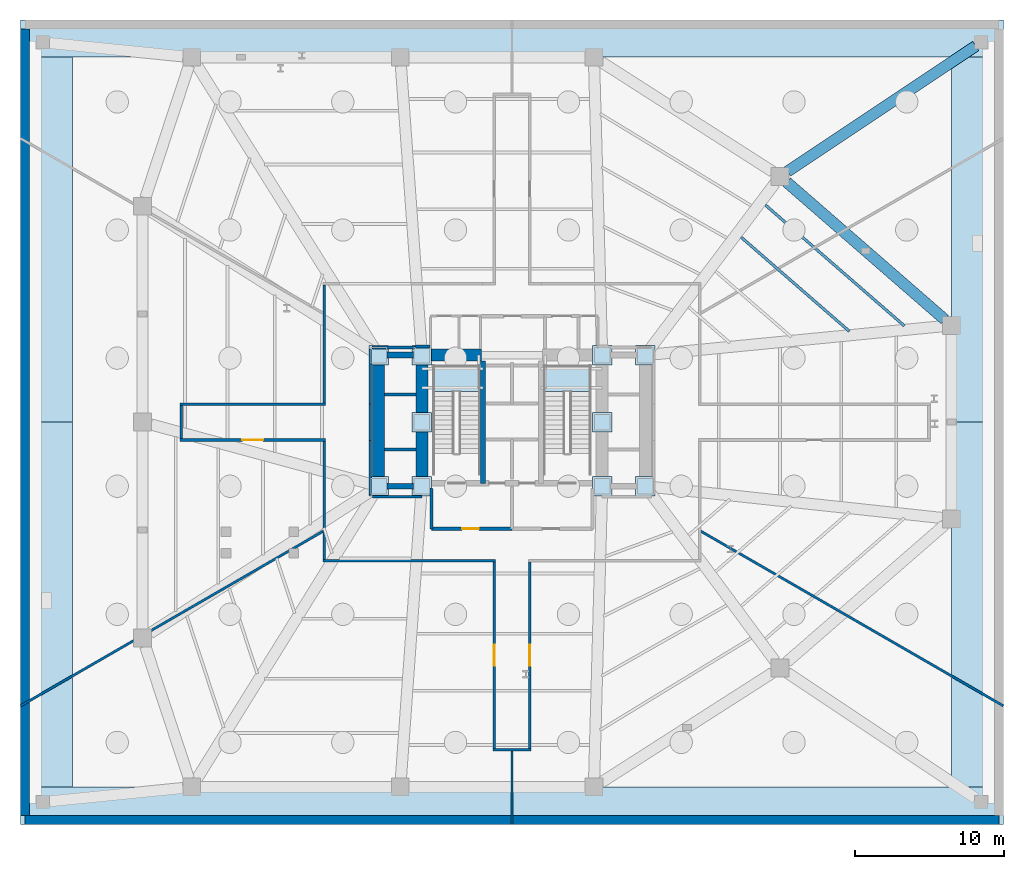
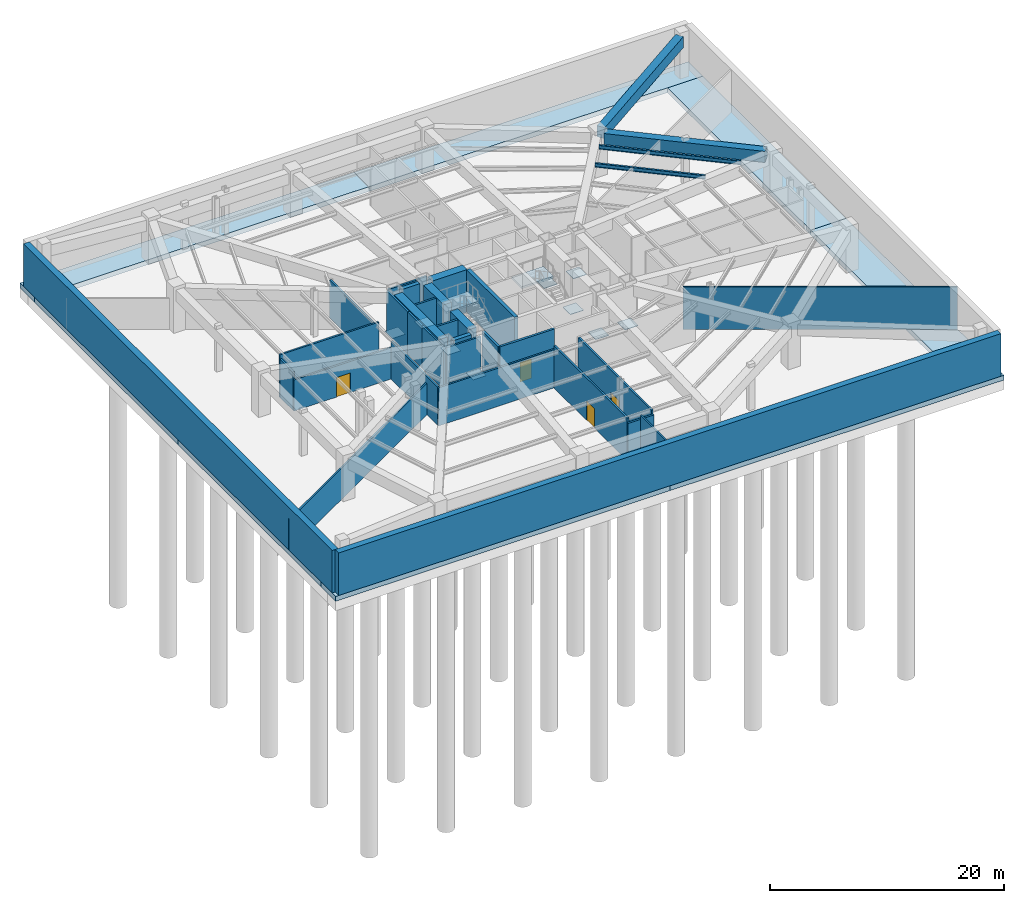
# One storey, part 3 of 7: 31 walls, 10 plates, 10 slabs, 4 beams, 4 doors, 4 openings, 2 elements without a shape of their own.
"""IFC4 building model written with IfcOpenShell, lengths in metres."""

from ifc_helpers import new_model, si_unit, direction, frame, frame_2d, origin, origin_2d, place, context, subcontext, project, spatial, polyline, rectangle, i_section, outline, extrude, material, layer, layer_set, material_profile, profile_set, type_object, element, fill, aggregate, save


model = new_model("IFC4")

# Units and contexts
model_context = context("Model", 3, precision=1e-05, world=origin(), true_north=direction((0.0, 1.0)))
body_context = subcontext(model_context, "Body", "Model", "MODEL_VIEW")
ifc_project = project(units=[si_unit("LENGTHUNIT", "METRE"), si_unit("AREAUNIT", "SQUARE_METRE"), si_unit("VOLUMEUNIT", "CUBIC_METRE"), si_unit("PLANEANGLEUNIT", "RADIAN"), si_unit("MASSUNIT", "GRAM", prefix="KILO")], contexts=[model_context])

# Site, building, storey
site_placement = place(None, origin())
site = spatial("IfcSite", under=ifc_project, at=site_placement, CompositionType="ELEMENT")
building_placement = place(site_placement, origin())
building = spatial("IfcBuilding", under=site, at=building_placement, Name="Rocaltana Carrier Exchange", CompositionType="ELEMENT")
storey_placement = place(building_placement, frame((0.0, 0.0, -9.60009765625)))
storey = spatial("IfcBuildingStorey", under=building, at=storey_placement, Name="Lower Basement", CompositionType="ELEMENT", Elevation=-9.60009765625)

# Beams
ifc_material_1 = material(Name="Concrete C50/60", Category="concrete")
ifc_material_profile_1 = material_profile(ifc_material_1, rectangle(XDim=0.75, YDim=1.14990234375, at=origin_2d()), Name="RC-BM-750X1150")
ifc_profile_set_1 = profile_set([ifc_material_profile_1], Name="Concrete C50/60")
beam_type_1 = type_object("IfcBeamType", Name="Basement RC Girder 750x1150", PredefinedType="BEAM", material=ifc_profile_set_1)
beam_1_placement = place(storey_placement, frame((29.05322265625, 6.888427734375, 3.873046875), z_axis=(-0.754600286985, 0.656184735331, 0.0), x_axis=(-0.656184735331, -0.754600286985, 0.0)))
element("IfcBeam", 1, at=beam_1_placement, inside=storey, type_object=beam_type_1, Name="BM-PODR-06-Lower_Basement", PredefinedType="BEAM", context=body_context, shape_type="SweptSolid", body=[
    extrude(rectangle(XDim=0.75, YDim=1.14990234375, at=origin_2d()), origin(), (0.0, 0.0, 1.0), 14.0556640625),
])
beam_2_placement = place(storey_placement, frame((18.49267578125, 16.828369140625, 3.873046875), z_axis=(0.832042876601, 0.554711322669, 0.0), x_axis=(-0.554711322669, 0.832042876601, 0.0)))
element("IfcBeam", 2, at=beam_2_placement, inside=storey, type_object=beam_type_1, Name="BM-BSUB-3-Lower_Basement", PredefinedType="BEAM", context=body_context, shape_type="SweptSolid", body=[
    extrude(rectangle(XDim=0.75, YDim=1.14990234375, at=origin_2d()), origin(), (0.0, 0.0, 1.0), 15.19091796875),
])
ifc_material_2 = material(Name="Steel S355", Category="steel")
ifc_material_profile_2 = material_profile(ifc_material_2, i_section(OverallWidth=0.179931640625, OverallDepth=0.4130859375, WebThickness=0.009765625, FlangeThickness=0.01611328125, FilletRadius=0.012939453125, at=origin_2d()), Name="W16X50")
ifc_profile_set_2 = profile_set([ifc_material_profile_2], Name="Steel S355")
beam_type_2 = type_object("IfcBeamType", Name="Floor Joist W16X50", PredefinedType="JOIST", material=ifc_profile_set_2)
beam_3_placement = place(storey_placement, frame((22.6455078125, 6.10205078125, 4.24169921875), z_axis=(-0.75460006149, 0.656184994647, 0.0), x_axis=(-0.656184994647, -0.75460006149, 0.0)))
element("IfcBeam", 3, at=beam_3_placement, inside=storey, type_object=beam_type_2, Name="FJ-POD-06-3-Lower_Basement", PredefinedType="JOIST", context=body_context, shape_type="SweptSolid", body=[
    extrude(i_section(OverallWidth=0.179931640625, OverallDepth=0.4130859375, WebThickness=0.009765625, FlangeThickness=0.01611328125, FilletRadius=0.012939453125, at=origin_2d()), origin(), (0.0, 0.0, 1.0), 9.625244140625),
])
beam_4_placement = place(storey_placement, frame((26.344482421875, 6.462158203125, 4.24169921875), z_axis=(-0.754602972379, 0.656181647165, 0.0), x_axis=(-0.656181647165, -0.754602972379, 0.0)))
element("IfcBeam", 4, at=beam_4_placement, inside=storey, type_object=beam_type_2, Name="FJ-POD-06-4-Lower_Basement", PredefinedType="JOIST", context=body_context, shape_type="SweptSolid", body=[
    extrude(i_section(OverallWidth=0.179931640625, OverallDepth=0.4130859375, WebThickness=0.009765625, FlangeThickness=0.01611328125, FilletRadius=0.012939453125, at=origin_2d()), origin(), (0.0, 0.0, 1.0), 12.3681640625),
])

# Slabs
ifc_material_3 = material(Name="Concrete C50/60", Category="concrete")
ifc_layer_1 = layer(ifc_material_3, 0.5)
ifc_layer_set_1 = layer_set([ifc_layer_1], Name="Concrete C50/60")
slab_type_1 = type_object("IfcSlabType", Name="Basement Base Slab 500", PredefinedType="BASESLAB", material=ifc_layer_set_1)
slab_1_placement = place(storey_placement, frame((0.0, 0.0, -0.5)))
element("IfcSlab", 5, at=slab_1_placement, inside=storey, type_object=slab_type_1, Name="Basement Base Slab SL-BS-01", PredefinedType="BASESLAB", context=body_context, shape_type="SweptSolid", body=[
    extrude(outline(polyline([(-33.0, -27.0), (0.0, -27.0), (0.0, -24.5), (-33.0, -24.5), (-33.0, -27.0)])), origin(), (0.0, 0.0, 1.0), 0.5),
])
slab_2_placement = place(storey_placement, frame((0.0, 0.0, -0.5)))
element("IfcSlab", 6, at=slab_2_placement, inside=storey, type_object=slab_type_1, Name="Basement Base Slab SL-BS-02", PredefinedType="BASESLAB", context=body_context, shape_type="SweptSolid", body=[
    extrude(outline(polyline([(0.0, -27.0), (33.0, -27.0), (33.0, -24.5), (0.0, -24.5), (0.0, -27.0)])), origin(), (0.0, 0.0, 1.0), 0.5),
])
slab_3_placement = place(storey_placement, frame((0.0, 0.0, -0.5)))
element("IfcSlab", 7, at=slab_3_placement, inside=storey, type_object=slab_type_1, Name="Basement Base Slab SL-BS-03", PredefinedType="BASESLAB", context=body_context, shape_type="SweptSolid", body=[
    extrude(outline(polyline([(-33.0, 24.5), (0.0, 24.5), (0.0, 27.0), (-33.0, 27.0), (-33.0, 24.5)])), origin(), (0.0, 0.0, 1.0), 0.5),
])
slab_4_placement = place(storey_placement, frame((0.0, 0.0, -0.5)))
element("IfcSlab", 8, at=slab_4_placement, inside=storey, type_object=slab_type_1, Name="Basement Base Slab SL-BS-04", PredefinedType="BASESLAB", context=body_context, shape_type="SweptSolid", body=[
    extrude(outline(polyline([(0.0, 24.5), (33.0, 24.5), (33.0, 27.0), (0.0, 27.0), (0.0, 24.5)])), origin(), (0.0, 0.0, 1.0), 0.5),
])
slab_5_placement = place(storey_placement, frame((0.0, 0.0, -0.5)))
element("IfcSlab", 9, at=slab_5_placement, inside=storey, type_object=slab_type_1, Name="Basement Base Slab SL-BS-05", PredefinedType="BASESLAB", context=body_context, shape_type="SweptSolid", body=[
    extrude(outline(polyline([(-33.0, -24.5), (-29.5, -24.5), (-29.5, 0.0), (-33.0, 0.0), (-33.0, -24.5)])), origin(), (0.0, 0.0, 1.0), 0.5),
])
slab_6_placement = place(storey_placement, frame((0.0, 0.0, -0.5)))
element("IfcSlab", 10, at=slab_6_placement, inside=storey, type_object=slab_type_1, Name="Basement Base Slab SL-BS-06", PredefinedType="BASESLAB", context=body_context, shape_type="SweptSolid", body=[
    extrude(outline(polyline([(-33.0, 0.0), (-29.5, 0.0), (-29.5, 24.5), (-33.0, 24.5), (-33.0, 0.0)])), origin(), (0.0, 0.0, 1.0), 0.5),
])
slab_7_placement = place(storey_placement, frame((0.0, 0.0, -0.5)))
element("IfcSlab", 11, at=slab_7_placement, inside=storey, type_object=slab_type_1, Name="Basement Base Slab SL-BS-07", PredefinedType="BASESLAB", context=body_context, shape_type="SweptSolid", body=[
    extrude(outline(polyline([(29.5, -24.5), (33.0, -24.5), (33.0, 0.0), (29.5, 0.0), (29.5, -24.5)])), origin(), (0.0, 0.0, 1.0), 0.5),
])
slab_8_placement = place(storey_placement, frame((0.0, 0.0, -0.5)))
element("IfcSlab", 12, at=slab_8_placement, inside=storey, type_object=slab_type_1, Name="Basement Base Slab SL-BS-08", PredefinedType="BASESLAB", context=body_context, shape_type="SweptSolid", body=[
    extrude(outline(polyline([(29.5, 0.0), (33.0, 0.0), (33.0, 24.5), (29.5, 24.5), (29.5, 0.0)])), origin(), (0.0, 0.0, 1.0), 0.5),
])

# Plates
ifc_material_4 = material(Name="Steel S460", Category="steel")
ifc_layer_2 = layer(ifc_material_4, 0.050048828125)
ifc_layer_set_2 = layer_set([ifc_layer_2], Name="Steel S460")
plate_type = type_object("IfcPlateType", Name="Column Splice Cap Plate 1300x1300x50", PredefinedType="SHEET", material=ifc_layer_set_2)
for number, where, z_axis, x_axis, name in (
    (13, (-6.050048828125, 4.5, -0.02490234375), (0.0, 0.0, 1.0), (1.0, 0.0, 0.0), "Base Plate MC1"),
    (14, (6.050048828125, 4.5, -0.02490234375), (0.0, 0.0, 1.0), (1.0, 0.0, 0.0), "Base Plate MC2"),
    (15, (-6.050048828125, 0.0, -0.02490234375), (0.0, 0.0, 1.0), (1.0, 0.0, 0.0), "Base Plate MC3"),
    (16, (6.050048828125, 0.0, -0.02490234375), (0.0, 0.0, 1.0), (1.0, 0.0, 0.0), "Base Plate MC4"),
    (17, (-6.050048828125, -4.300048828125, -0.02490234375), (0.0, 0.0, 1.0), (1.0, 0.0, 0.0), "Base Plate MC5"),
    (18, (6.050048828125, -4.300048828125, -0.02490234375), (0.0, 0.0, 1.0), (1.0, 0.0, 0.0), "Base Plate MC6"),
    (19, (-8.949951171875, 4.5, -0.02490234375), (0.0, 0.0, 1.0), (1.0, 0.0, 0.0), "Base Plate WC1"),
    (20, (-8.949951171875, -4.300048828125, -0.02490234375), (0.0, 0.0, 1.0), (1.0, 0.0, 0.0), "Base Plate WC2"),
    (21, (8.949951171875, 4.5, -0.02490234375), (0.0, 0.0, 1.0), (1.0, 0.0, 0.0), "Base Plate EC1"),
    (22, (8.949951171875, -4.300048828125, -0.02490234375), (0.0, 0.0, 1.0), (1.0, 0.0, 0.0), "Base Plate EC2"),
):
    element("IfcPlate", number, at=place(storey_placement, frame(where, z_axis=z_axis, x_axis=x_axis)), inside=storey, type_object=plate_type, Name=name, PredefinedType="SHEET", context=body_context, shape_type="SweptSolid", body=[
        extrude(rectangle(XDim=1.300048828125, YDim=1.300048828125, at=origin_2d()), origin(), (0.0, 0.0, 1.0), 0.050048828125),
    ])

# Stair, slab
ifc_material_5 = material(Name="Precast concrete C45/55", Category="concrete")
stair_type = type_object("IfcStairType", Name="Standard Dog-Leg Stair 160", PredefinedType="HALF_TURN_STAIR", material=ifc_material_5)
stair_1_placement = place(storey_placement, origin())
stair_1 = element("IfcStair", 23, at=stair_1_placement, inside=storey, type_object=stair_type, Name="Lower Basement Core West Exit Stair ST-1", PredefinedType="HALF_TURN_STAIR")
ifc_material_6 = material(Name="Precast concrete C45/55", Category="concrete")
ifc_layer_3 = layer(ifc_material_6, 0.199951171875)
ifc_layer_set_3 = layer_set([ifc_layer_3], Name="Precast concrete C45/55")
slab_type_2 = type_object("IfcSlabType", Name="Precast Stair Half-Landing 200", PredefinedType="LANDING", material=ifc_layer_set_3)
slab_9_placement = place(storey_placement, frame((0.0, 0.0, 2.2001953125)))
slab_9 = element("IfcSlab", 24, at=slab_9_placement, type_object=slab_type_2, Name="ST-1 landing 1", PredefinedType="LANDING", context=body_context, shape_type="SweptSolid", body=[
    extrude(outline(polyline([(-2.139892578125, 2.06005859375), (-2.139892578125, 3.800048828125), (-5.300048828125, 3.800048828125), (-5.300048828125, 2.06005859375), (-2.139892578125, 2.06005859375)])), origin(), (0.0, 0.0, 1.0), 0.199951171875),
])
aggregate(stair_1, [slab_9])

stair_2_placement = place(storey_placement, origin())
stair_2 = element("IfcStair", 25, at=stair_2_placement, inside=storey, type_object=stair_type, Name="Lower Basement Core East Exit Stair ST-2", PredefinedType="HALF_TURN_STAIR")
slab_10_placement = place(storey_placement, frame((0.0, 0.0, 2.2001953125)))
slab_10 = element("IfcSlab", 26, at=slab_10_placement, type_object=slab_type_2, Name="ST-2 landing 1", PredefinedType="LANDING", context=body_context, shape_type="SweptSolid", body=[
    extrude(outline(polyline([(5.300048828125, 2.06005859375), (5.300048828125, 3.800048828125), (2.139892578125, 3.800048828125), (2.139892578125, 2.06005859375), (5.300048828125, 2.06005859375)])), origin(), (0.0, 0.0, 1.0), 0.199951171875),
])
aggregate(stair_2, [slab_10])

# Walls
ifc_material_7 = material(Name="Double Acoustic Gypsum Partition", Category="gypsum")
ifc_layer_4 = layer(ifc_material_7, 0.159912109375)
ifc_layer_set_4 = layer_set([ifc_layer_4], Name="Double Acoustic Gypsum Partition")
wall_type_1 = type_object("IfcWallType", Name="Acoustic Studio Partition 160 EI60", PredefinedType="PARTITIONING", material=ifc_layer_set_4)
wall_1_placement = place(storey_placement, frame((-12.679931640625, -7.32080078125, 0.0), z_axis=(0.0, 0.0, 1.0), x_axis=(-0.866024362014, -0.500001804394, 0.0)))
element("IfcWall", 27, at=wall_1_placement, inside=storey, type_object=wall_type_1, Name="Lower Basement Suite Divider Wall D1", PredefinedType="PARTITIONING", context=body_context, shape_type="SweptSolid", body=[
    extrude(rectangle(XDim=23.4521484375, YDim=0.159912109375, at=frame_2d((11.72607421875, 0.0))), origin(), (0.0, 0.0, 1.0), 3.253173828125),
])
wall_2_placement = place(storey_placement, frame((0.0, -22.080078125, 0.0), z_axis=(0.0, 0.0, 1.0), x_axis=(0.0, -1.0, 0.0)))
element("IfcWall", 28, at=wall_2_placement, inside=storey, type_object=wall_type_1, Name="Lower Basement Suite Divider Wall D2", PredefinedType="PARTITIONING", context=body_context, shape_type="SweptSolid", body=[
    extrude(rectangle(XDim=4.909912109375, YDim=0.159912109375, at=frame_2d((2.455078125, 0.0))), origin(), (0.0, 0.0, 1.0), 4.423095703125),
])
wall_3_placement = place(storey_placement, frame((12.679931640625, -7.32080078125, 0.0), z_axis=(0.0, 0.0, 1.0), x_axis=(0.866024362014, -0.500001804394, 0.0)))
element("IfcWall", 29, at=wall_3_placement, inside=storey, type_object=wall_type_1, Name="Lower Basement Suite Divider Wall D3", PredefinedType="PARTITIONING", context=body_context, shape_type="SweptSolid", body=[
    extrude(rectangle(XDim=23.4521484375, YDim=0.159912109375, at=frame_2d((11.72607421875, 0.0))), origin(), (0.0, 0.0, 1.0), 4.423095703125),
])
ifc_material_8 = material(Name="Concrete C50/60", Category="concrete")
ifc_layer_5 = layer(ifc_material_8, 0.60009765625)
ifc_layer_set_5 = layer_set([ifc_layer_5], Name="Concrete C50/60")
wall_type_2 = type_object("IfcWallType", Name="Basement Diaphragm Wall 600", PredefinedType="SOLIDWALL", material=ifc_layer_set_5)
wall_4_placement = place(storey_placement, frame((-32.699951171875, -26.699951171875, 0.0), z_axis=(0.0, 0.0, 1.0), x_axis=(1.0, 0.0, 0.0)))
element("IfcWall", 30, at=wall_4_placement, inside=storey, type_object=wall_type_2, Name="Lower Basement Diaphragm Wall RW-S", PredefinedType="SOLIDWALL", context=body_context, shape_type="SweptSolid", body=[
    extrude(rectangle(XDim=65.39990234375, YDim=0.60009765625, at=frame_2d((32.699951171875, 0.0))), origin(), (0.0, 0.0, 1.0), 4.447998046875),
])
wall_5_placement = place(storey_placement, frame((-32.699951171875, -26.39990234375, 0.0), z_axis=(0.0, 0.0, 1.0), x_axis=(0.0, 1.0, 0.0)))
element("IfcWall", 31, at=wall_5_placement, inside=storey, type_object=wall_type_2, Name="Lower Basement Diaphragm Wall RW-W", PredefinedType="SOLIDWALL", context=body_context, shape_type="SweptSolid", body=[
    extrude(rectangle(XDim=52.7998046875, YDim=0.60009765625, at=frame_2d((26.39990234375, 0.0))), origin(), (0.0, 0.0, 1.0), 4.447998046875),
])
ifc_material_9 = material(Name="Concrete C50/60", Category="concrete")
ifc_layer_6 = layer(ifc_material_9, 0.35009765625)
ifc_layer_set_6 = layer_set([ifc_layer_6], Name="Concrete C50/60")
wall_type_3 = type_object("IfcWallType", Name="Core Internal Shear Wall 350", PredefinedType="SHEAR", material=ifc_layer_set_6)
wall_6_placement = place(storey_placement, frame((-1.93994140625, -4.10009765625, 0.0), z_axis=(0.0, 0.0, 1.0), x_axis=(0.0, 1.0, 0.0)))
element("IfcWall", 32, at=wall_6_placement, inside=storey, type_object=wall_type_3, Name="Lower Basement Core Shear Wall CW-STW", PredefinedType="SHEAR", context=body_context, shape_type="SweptSolid", body=[
    extrude(rectangle(XDim=8.2001953125, YDim=0.35009765625, at=frame_2d((4.10009765625, 0.0))), origin(), (0.0, 0.0, 1.0), 4.447998046875),
])
ifc_material_10 = material(Name="Concrete C50/60", Category="concrete")
ifc_layer_7 = layer(ifc_material_10, 0.39990234375)
ifc_layer_set_7 = layer_set([ifc_layer_7], Name="Concrete C50/60")
wall_type_4 = type_object("IfcWallType", Name="Core Internal Shear Wall 400", PredefinedType="SHEAR", material=ifc_layer_set_7)
for number, where, z_axis, x_axis, name in (
    (33, (-8.39990234375, 4.5, 0.0), (0.0, 0.0, 1.0), (1.0, 0.0, 0.0), "Lower Basement Core Shear Wall CW-WWN"),
    (34, (-8.39990234375, -4.300048828125, 0.0), (0.0, 0.0, 1.0), (1.0, 0.0, 0.0), "Lower Basement Core Shear Wall CW-WWS"),
):
    element("IfcWall", number, at=place(storey_placement, frame(where, z_axis=z_axis, x_axis=x_axis)), inside=storey, type_object=wall_type_4, Name=name, PredefinedType="SHEAR", context=body_context, shape_type="SweptSolid", body=[
        extrude(rectangle(XDim=1.7998046875, YDim=0.39990234375, at=frame_2d((0.89990234375, 0.0))), origin(), (0.0, 0.0, 1.0), 4.447998046875),
    ])
ifc_material_11 = material(Name="Concrete C60/75", Category="concrete")
ifc_layer_8 = layer(ifc_material_11, 0.800048828125)
ifc_layer_set_8 = layer_set([ifc_layer_8], Name="Concrete C60/75")
wall_type_5 = type_object("IfcWallType", Name="Core Shear Wall 800", PredefinedType="SHEAR", material=ifc_layer_set_8)
wall_7_placement = place(storey_placement, frame((-6.050048828125, 0.550048828125, 0.0), z_axis=(0.0, 0.0, 1.0), x_axis=(0.0, 1.0, 0.0)))
element("IfcWall", 35, at=wall_7_placement, inside=storey, type_object=wall_type_5, Name="Lower Basement Core Shear Wall CW-WN", PredefinedType="SHEAR", context=body_context, shape_type="SweptSolid", body=[
    extrude(rectangle(XDim=3.39990234375, YDim=0.800048828125, at=frame_2d((1.699951171875, 0.0))), origin(), (0.0, 0.0, 1.0), 4.447998046875),
])
wall_8_placement = place(storey_placement, frame((-6.050048828125, -3.75, 0.0), z_axis=(0.0, 0.0, 1.0), x_axis=(0.0, 1.0, 0.0)))
element("IfcWall", 36, at=wall_8_placement, inside=storey, type_object=wall_type_5, Name="Lower Basement Core Shear Wall CW-WS", PredefinedType="SHEAR", context=body_context, shape_type="SweptSolid", body=[
    extrude(rectangle(XDim=3.199951171875, YDim=0.800048828125, at=frame_2d((1.60009765625, 0.0))), origin(), (0.0, 0.0, 1.0), 4.447998046875),
])
wall_9_placement = place(storey_placement, frame((-5.5, 4.5, 0.0), z_axis=(0.0, 0.0, 1.0), x_axis=(1.0, 0.0, 0.0)))
element("IfcWall", 37, at=wall_9_placement, inside=storey, type_object=wall_type_5, Name="Lower Basement Core Shear Wall CW-N1", PredefinedType="SHEAR", context=body_context, shape_type="SweptSolid", body=[
    extrude(rectangle(XDim=3.449951171875, YDim=0.800048828125, at=frame_2d((1.72509765625, 0.0))), origin(), (0.0, 0.0, 1.0), 4.447998046875),
])
wall_10_placement = place(storey_placement, frame((-8.949951171875, -3.75, 0.0), z_axis=(0.0, 0.0, 1.0), x_axis=(0.0, 1.0, 0.0)))
element("IfcWall", 38, at=wall_10_placement, inside=storey, type_object=wall_type_5, Name="Lower Basement Core Shear Wall CW-WW", PredefinedType="SHEAR", context=body_context, shape_type="SweptSolid", body=[
    extrude(rectangle(XDim=7.699951171875, YDim=0.800048828125, at=frame_2d((3.85009765625, 0.0))), origin(), (0.0, 0.0, 1.0), 4.447998046875),
])
ifc_material_12 = material(Name="Gypsum & Steel Stud Partition", Category="steel")
ifc_layer_9 = layer(ifc_material_12, 0.179931640625)
ifc_layer_set_9 = layer_set([ifc_layer_9], Name="Gypsum & Steel Stud Partition")
wall_type_6 = type_object("IfcWallType", Name="Corridor Fire Partition 180 EI60", PredefinedType="PARTITIONING", material=ifc_layer_set_9)
wall_11_placement = place(storey_placement, frame((-22.2900390625, 1.199951171875, 0.0), z_axis=(0.0, 0.0, 1.0), x_axis=(1.0, 0.0, 0.0)))
element("IfcWall", 39, at=wall_11_placement, inside=storey, type_object=wall_type_6, Name="Lower Basement Corridor Partition 1", PredefinedType="PARTITIONING", context=body_context, shape_type="SweptSolid", body=[
    extrude(rectangle(XDim=9.780029296875, YDim=0.179931640625, at=frame_2d((4.89013671875, 0.0))), origin(), (0.0, 0.0, 1.0), 4.423095703125),
])
wall_12_placement = place(storey_placement, frame((-12.60009765625, 1.2900390625, 0.0), z_axis=(0.0, 0.0, 1.0), x_axis=(0.0, 1.0, 0.0)))
element("IfcWall", 40, at=wall_12_placement, inside=storey, type_object=wall_type_6, Name="Lower Basement Corridor Partition 2", PredefinedType="PARTITIONING", context=body_context, shape_type="SweptSolid", body=[
    extrude(rectangle(XDim=7.919921875, YDim=0.179931640625, at=frame_2d((3.9599609375, 0.0))), origin(), (0.0, 0.0, 1.0), 3.989990234375),
])

# Wall, opening, door
wall_13_placement = place(storey_placement, frame((1.199951171875, -9.389892578125, 0.0), z_axis=(0.0, 0.0, 1.0), x_axis=(0.0, -1.0, 0.0)))
wall_13 = element("IfcWall", 41, at=wall_13_placement, inside=storey, type_object=wall_type_6, Name="Lower Basement Corridor Partition 16", PredefinedType="PARTITIONING", context=body_context, shape_type="SweptSolid", body=[
    extrude(rectangle(XDim=12.52001953125, YDim=0.179931640625, at=frame_2d((6.260009765625, 0.0))), origin(), (0.0, 0.0, 1.0), 4.423095703125),
])
opening_1_placement = place(wall_13_placement, frame((5.56005859375, 0.0, 0.0)))
opening_1 = element("IfcOpeningElement", 42, at=opening_1_placement, cuts=wall_13, Name="Opening G-SEC150", PredefinedType="OPENING", context=body_context, shape_type="SweptSolid", body=[
    extrude(rectangle(XDim=1.39990234375, YDim=2.0400390625, at=frame_2d((0.699951171875, 1.02001953125))), frame((0.0, 0.099853515625, 0.0), z_axis=(0.0, -1.0, 0.0), x_axis=(1.0, 0.0, 0.0)), (0.0, 0.0, 1.0), 0.199951171875),
])
ifc_material_13 = material(Name="Anodised Aluminium Security Grille", Category="aluminium")
door_type_1 = type_object("IfcDoorType", Name="Plant & Substation Security Gate 1400x2040", OperationType="NOTDEFINED", PredefinedType="GATE", material=ifc_material_13)
door_1_placement = place(opening_1_placement, origin())
door_1 = element("IfcDoor", 43, at=door_1_placement, inside=storey, type_object=door_type_1, Name="Lower Basement Chilled-Water Thermal Storage Plant Entrance Door", OperationType="SINGLE_SWING_LEFT", OverallHeight=2.0400390625, OverallWidth=1.39990234375, PredefinedType="GATE", context=body_context, shape_type="SweptSolid", body=[
    extrude(rectangle(XDim=1.39990234375, YDim=2.0400390625, at=frame_2d((0.699951171875, 1.02001953125))), frame((0.0, 0.02490234375, 0.0), z_axis=(0.0, -1.0, 0.0), x_axis=(1.0, 0.0, 0.0)), (0.0, 0.0, 1.0), 0.050048828125),
])
fill(opening_1, door_1)

# Wall
wall_14_placement = place(storey_placement, frame((1.2900390625, -22.0, 0.0), z_axis=(0.0, 0.0, 1.0), x_axis=(-1.0, 0.0, 0.0)))
element("IfcWall", 44, at=wall_14_placement, inside=storey, type_object=wall_type_6, Name="Lower Basement Corridor Partition 17", PredefinedType="PARTITIONING", context=body_context, shape_type="SweptSolid", body=[
    extrude(rectangle(XDim=2.580078125, YDim=0.179931640625, at=frame_2d((1.2900390625, 0.0))), origin(), (0.0, 0.0, 1.0), 3.989990234375),
])

# Wall, opening, door
wall_15_placement = place(storey_placement, frame((-1.199951171875, -21.909912109375, 0.0), z_axis=(0.0, 0.0, 1.0), x_axis=(0.0, 1.0, 0.0)))
wall_15 = element("IfcWall", 45, at=wall_15_placement, inside=storey, type_object=wall_type_6, Name="Lower Basement Corridor Partition 18", PredefinedType="PARTITIONING", context=body_context, shape_type="SweptSolid", body=[
    extrude(rectangle(XDim=12.52001953125, YDim=0.179931640625, at=frame_2d((6.260009765625, 0.0))), origin(), (0.0, 0.0, 1.0), 4.423095703125),
])
opening_2_placement = place(wall_15_placement, frame((5.56005859375, 0.0, 0.0)))
opening_2 = element("IfcOpeningElement", 46, at=opening_2_placement, cuts=wall_15, Name="Opening G-SEC150", PredefinedType="OPENING", context=body_context, shape_type="SweptSolid", body=[
    extrude(rectangle(XDim=1.39990234375, YDim=2.0400390625, at=frame_2d((0.699951171875, 1.02001953125))), frame((0.0, 0.099853515625, 0.0), z_axis=(0.0, -1.0, 0.0), x_axis=(1.0, 0.0, 0.0)), (0.0, 0.0, 1.0), 0.199951171875),
])
door_2_placement = place(opening_2_placement, origin())
door_2 = element("IfcDoor", 47, at=door_2_placement, inside=storey, type_object=door_type_1, Name="Lower Basement Uninterruptible Power Supply Vault Entrance Door", OperationType="SINGLE_SWING_RIGHT", OverallHeight=2.0400390625, OverallWidth=1.39990234375, PredefinedType="GATE", context=body_context, shape_type="SweptSolid", body=[
    extrude(rectangle(XDim=1.39990234375, YDim=2.0400390625, at=frame_2d((0.699951171875, 1.02001953125))), frame((0.0, 0.02490234375, 0.0), z_axis=(0.0, -1.0, 0.0), x_axis=(1.0, 0.0, 0.0)), (0.0, 0.0, 1.0), 0.050048828125),
])
fill(opening_2, door_2)

# Walls
wall_16_placement = place(storey_placement, frame((-1.110107421875, -9.300048828125, 0.0), z_axis=(0.0, 0.0, 1.0), x_axis=(-1.0, 0.0, 0.0)))
element("IfcWall", 48, at=wall_16_placement, inside=storey, type_object=wall_type_6, Name="Lower Basement Corridor Partition 19", PredefinedType="PARTITIONING", context=body_context, shape_type="SweptSolid", body=[
    extrude(rectangle(XDim=11.579833984375, YDim=0.179931640625, at=frame_2d((5.7900390625, 0.0))), origin(), (0.0, 0.0, 1.0), 3.989990234375),
])
wall_17_placement = place(storey_placement, frame((-12.60009765625, -9.2099609375, 0.0), z_axis=(0.0, 0.0, 1.0), x_axis=(0.0, 1.0, 0.0)))
element("IfcWall", 49, at=wall_17_placement, inside=storey, type_object=wall_type_6, Name="Lower Basement Corridor Partition 20", PredefinedType="PARTITIONING", context=body_context, shape_type="SweptSolid", body=[
    extrude(rectangle(XDim=7.919921875, YDim=0.179931640625, at=frame_2d((3.9599609375, 0.0))), origin(), (0.0, 0.0, 1.0), 3.989990234375),
])

# Wall, opening, door
wall_18_placement = place(storey_placement, frame((-12.510009765625, -1.199951171875, 0.0), z_axis=(0.0, 0.0, 1.0), x_axis=(-1.0, 0.0, 0.0)))
wall_18 = element("IfcWall", 50, at=wall_18_placement, inside=storey, type_object=wall_type_6, Name="Lower Basement Corridor Partition 21", PredefinedType="PARTITIONING", context=body_context, shape_type="SweptSolid", body=[
    extrude(rectangle(XDim=9.780029296875, YDim=0.179931640625, at=frame_2d((4.89013671875, 0.0))), origin(), (0.0, 0.0, 1.0), 3.253173828125),
])
opening_3_placement = place(wall_18_placement, frame((4.18994140625, 0.0, 0.0)))
opening_3 = element("IfcOpeningElement", 51, at=opening_3_placement, cuts=wall_18, Name="Opening G-SEC150", PredefinedType="OPENING", context=body_context, shape_type="SweptSolid", body=[
    extrude(rectangle(XDim=1.39990234375, YDim=2.0400390625, at=frame_2d((0.699951171875, 1.02001953125))), frame((0.0, 0.099853515625, 0.0), z_axis=(0.0, -1.0, 0.0), x_axis=(1.0, 0.0, 0.0)), (0.0, 0.0, 1.0), 0.199951171875),
])
door_3_placement = place(opening_3_placement, origin())
door_3 = element("IfcDoor", 52, at=door_3_placement, inside=storey, type_object=door_type_1, Name="Lower Basement Medium-Voltage Switchgear Hall Entrance Door", OperationType="SINGLE_SWING_LEFT", OverallHeight=2.0400390625, OverallWidth=1.39990234375, PredefinedType="GATE", context=body_context, shape_type="SweptSolid", body=[
    extrude(rectangle(XDim=1.39990234375, YDim=2.0400390625, at=frame_2d((0.699951171875, 1.02001953125))), frame((0.0, 0.02490234375, 0.0), z_axis=(0.0, -1.0, 0.0), x_axis=(1.0, 0.0, 0.0)), (0.0, 0.0, 1.0), 0.050048828125),
])
fill(opening_3, door_3)

# Walls
wall_19_placement = place(storey_placement, frame((-22.199951171875, -1.110107421875, 0.0), z_axis=(0.0, 0.0, 1.0), x_axis=(0.0, 1.0, 0.0)))
element("IfcWall", 53, at=wall_19_placement, inside=storey, type_object=wall_type_6, Name="Lower Basement Corridor Partition 22", PredefinedType="PARTITIONING", context=body_context, shape_type="SweptSolid", body=[
    extrude(rectangle(XDim=2.22021484375, YDim=0.179931640625, at=frame_2d((1.110107421875, 0.0))), origin(), (0.0, 0.0, 1.0), 3.989990234375),
])
wall_20_placement = place(storey_placement, frame((-9.510009765625, 4.8701171875, 0.0), z_axis=(0.0, 0.0, 1.0), x_axis=(0.0, -1.0, 0.0)))
element("IfcWall", 54, at=wall_20_placement, inside=storey, type_object=wall_type_6, Name="Lower Basement Corridor Partition 23", PredefinedType="PARTITIONING", context=body_context, shape_type="SweptSolid", body=[
    extrude(rectangle(XDim=3.690185546875, YDim=0.179931640625, at=frame_2d((1.84521484375, 0.0))), origin(), (0.0, 0.0, 1.0), 4.423095703125),
])
wall_21_placement = place(storey_placement, frame((-9.510009765625, 1.219970703125, 0.0), z_axis=(0.0, 0.0, 1.0), x_axis=(0.0, -1.0, 0.0)))
element("IfcWall", 55, at=wall_21_placement, inside=storey, type_object=wall_type_6, Name="Lower Basement Corridor Partition 24", PredefinedType="PARTITIONING", context=body_context, shape_type="SweptSolid", body=[
    extrude(rectangle(XDim=2.43994140625, YDim=0.179931640625, at=frame_2d((1.219970703125, 0.0))), origin(), (0.0, 0.0, 1.0), 4.423095703125),
])
wall_22_placement = place(storey_placement, frame((-9.510009765625, -1.179931640625, 0.0), z_axis=(0.0, 0.0, 1.0), x_axis=(0.0, -1.0, 0.0)))
element("IfcWall", 56, at=wall_22_placement, inside=storey, type_object=wall_type_6, Name="Lower Basement Corridor Partition 25", PredefinedType="PARTITIONING", context=body_context, shape_type="SweptSolid", body=[
    extrude(rectangle(XDim=3.690185546875, YDim=0.179931640625, at=frame_2d((1.84521484375, 0.0))), origin(), (0.0, 0.0, 1.0), 4.423095703125),
])
wall_23_placement = place(storey_placement, frame((-9.3701171875, -5.010009765625, 0.0), z_axis=(0.0, 0.0, 1.0), x_axis=(1.0, 0.0, 0.0)))
element("IfcWall", 57, at=wall_23_placement, inside=storey, type_object=wall_type_6, Name="Lower Basement Corridor Partition 26", PredefinedType="PARTITIONING", context=body_context, shape_type="SweptSolid", body=[
    extrude(rectangle(XDim=3.340087890625, YDim=0.179931640625, at=frame_2d((1.669921875, 0.0))), origin(), (0.0, 0.0, 1.0), 4.423095703125),
])
wall_24_placement = place(storey_placement, frame((-5.52001953125, 5.080078125, 0.0), z_axis=(0.0, 0.0, 1.0), x_axis=(-1.0, 0.0, 0.0)))
element("IfcWall", 58, at=wall_24_placement, inside=storey, type_object=wall_type_6, Name="Lower Basement Corridor Partition 37", PredefinedType="PARTITIONING", context=body_context, shape_type="SweptSolid", body=[
    extrude(rectangle(XDim=0.949951171875, YDim=0.179931640625, at=frame_2d((0.47509765625, 0.0))), origin(), (0.0, 0.0, 1.0), 4.423095703125),
])
wall_25_placement = place(storey_placement, frame((-6.562255859375, 5.010009765625, 0.0), z_axis=(0.0, 0.0, 1.0), x_axis=(-1.0, 0.0, 0.0)))
element("IfcWall", 59, at=wall_25_placement, inside=storey, type_object=wall_type_6, Name="Lower Basement Corridor Partition 38", PredefinedType="PARTITIONING", context=body_context, shape_type="SweptSolid", body=[
    extrude(rectangle(XDim=2.807861328125, YDim=0.179931640625, at=frame_2d((1.40380859375, 0.0))), origin(), (0.0, 0.0, 1.0), 4.423095703125),
])
ifc_material_14 = material(Name="Autoclaved Aerated Concrete C30/37", Category="concrete")
ifc_layer_10 = layer(ifc_material_14, 0.219970703125)
ifc_layer_set_10 = layer_set([ifc_layer_10], Name="Autoclaved Aerated Concrete C30/37")
wall_type_7 = type_object("IfcWallType", Name="Firefighting Lobby Wall 220 EI120", PredefinedType="PARTITIONING", material=ifc_layer_set_10)
wall_26_placement = place(storey_placement, frame((-5.39990234375, -7.159912109375, 0.0), z_axis=(0.0, 0.0, 1.0), x_axis=(0.0, 1.0, 0.0)))
element("IfcWall", 60, at=wall_26_placement, inside=storey, type_object=wall_type_7, Name="Lower Basement FFL Lobby 1 West Wall", PredefinedType="PARTITIONING", context=body_context, shape_type="SweptSolid", body=[
    extrude(rectangle(XDim=2.7099609375, YDim=0.219970703125, at=frame_2d((1.35498046875, 0.0))), origin(), (0.0, 0.0, 1.0), 4.423095703125),
])

# Wall, opening, door
wall_27_placement = place(storey_placement, frame((-5.39990234375, -7.159912109375, 0.0), z_axis=(0.0, 0.0, 1.0), x_axis=(1.0, 0.0, 0.0)))
wall_27 = element("IfcWall", 61, at=wall_27_placement, inside=storey, type_object=wall_type_7, Name="Lower Basement FFL Lobby 1 South Wall", PredefinedType="PARTITIONING", context=body_context, shape_type="SweptSolid", body=[
    extrude(rectangle(XDim=5.39990234375, YDim=0.219970703125, at=frame_2d((2.699951171875, 0.0))), origin(), (0.0, 0.0, 1.0), 4.423095703125),
])
opening_4_placement = place(wall_27_placement, frame((2.050048828125, 0.0, 0.0)))
opening_4 = element("IfcOpeningElement", 62, at=opening_4_placement, cuts=wall_27, Name="Opening D-FF115", PredefinedType="OPENING", context=body_context, shape_type="SweptSolid", body=[
    extrude(rectangle(XDim=1.1201171875, YDim=2.02001953125, at=frame_2d((0.56005859375, 1.010009765625))), frame((0.0, 0.119873046875, 0.0), z_axis=(0.0, -1.0, 0.0), x_axis=(1.0, 0.0, 0.0)), (0.0, 0.0, 1.0), 0.239990234375),
])
ifc_material_15 = material(Name="Hollow Metal Fire Door Assembly", Category="steel")
door_type_2 = type_object("IfcDoorType", Name="Firefighting Lobby Door 1120x2020 FD60S", OperationType="NOTDEFINED", PredefinedType="DOOR", material=ifc_material_15)
door_4_placement = place(opening_4_placement, origin())
door_4 = element("IfcDoor", 63, at=door_4_placement, inside=storey, type_object=door_type_2, Name="Lower Basement Firefighting Lift Lobby 1 Door", OperationType="SINGLE_SWING_LEFT", OverallHeight=2.02001953125, OverallWidth=1.1201171875, PredefinedType="DOOR", context=body_context, shape_type="SweptSolid", body=[
    extrude(rectangle(XDim=1.1201171875, YDim=2.02001953125, at=frame_2d((0.56005859375, 1.010009765625))), frame((0.0, 0.02490234375, 0.0), z_axis=(0.0, -1.0, 0.0), x_axis=(1.0, 0.0, 0.0)), (0.0, 0.0, 1.0), 0.050048828125),
])
fill(opening_4, door_4)

# Walls
ifc_material_16 = material(Name="Reinforced Concrete Block C35/45", Category="concrete")
ifc_layer_11 = layer(ifc_material_16, 0.199951171875)
ifc_layer_set_11 = layer_set([ifc_layer_11], Name="Reinforced Concrete Block C35/45")
wall_type_8 = type_object("IfcWallType", Name="Lift Hoistway Enclosure Wall 200 EI120", PredefinedType="PARTITIONING", material=ifc_layer_set_11)
for number, where, z_axis, x_axis, name in (
    (64, (-8.550048828125, -1.85009765625, 0.0), (0.0, 0.0, 1.0), (1.0, 0.0, 0.0), "Lower Basement Low-Rise Shaft Divider 1"),
    (65, (-8.550048828125, 1.85009765625, 0.0), (0.0, 0.0, 1.0), (1.0, 0.0, 0.0), "Lower Basement Low-Rise Shaft Divider 2"),
):
    element("IfcWall", number, at=place(storey_placement, frame(where, z_axis=z_axis, x_axis=x_axis)), inside=storey, type_object=wall_type_8, Name=name, PredefinedType="PARTITIONING", context=body_context, shape_type="SweptSolid", body=[
        extrude(rectangle(XDim=2.10009765625, YDim=0.199951171875, at=frame_2d((1.050048828125, 0.0))), origin(), (0.0, 0.0, 1.0), 4.423095703125),
    ])

save(model, "model.ifc")
